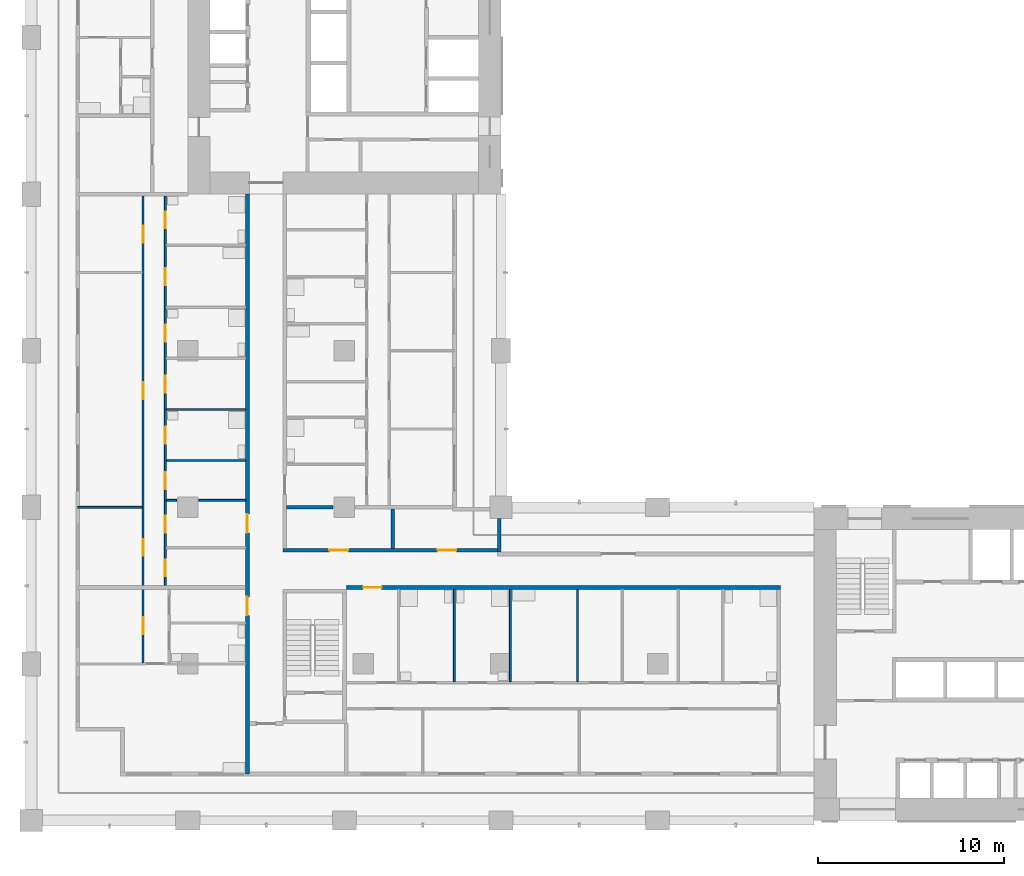
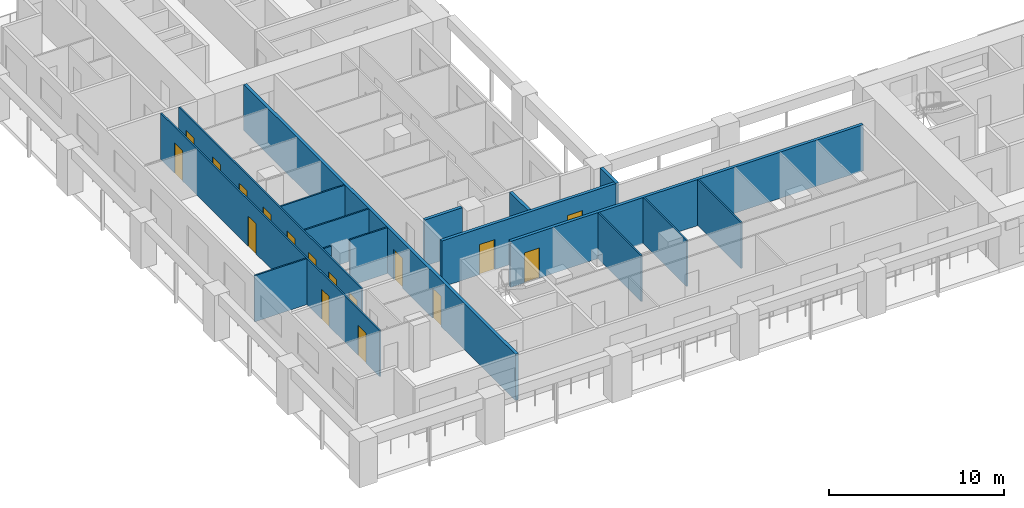
# One storey, part 3 of 16: 17 doors, 16 walls, 17 openings.
"""IFC4 building model written with IfcOpenShell, lengths in metres."""

from ifc_helpers import new_model, si_unit, direction, frame, frame_2d, origin, place, context, subcontext, project, spatial, rectangle, extrude, material, layer, layer_set, type_object, element, fill, save


model = new_model("IFC4")

# Units and contexts
model_context = context("Model", 3, precision=1e-05, world=origin(), true_north=direction((0.0, 1.0)))
body_context = subcontext(model_context, "Body", "Model", "MODEL_VIEW")
ifc_project = project(units=[si_unit("LENGTHUNIT", "METRE"), si_unit("AREAUNIT", "SQUARE_METRE"), si_unit("VOLUMEUNIT", "CUBIC_METRE"), si_unit("PLANEANGLEUNIT", "RADIAN"), si_unit("MASSUNIT", "GRAM", prefix="KILO")], contexts=[model_context])

# Site, building, storey
site_placement = place(None, origin())
site = spatial("IfcSite", under=ifc_project, at=site_placement, CompositionType="ELEMENT")
building_placement = place(site_placement, origin())
building = spatial("IfcBuilding", under=site, at=building_placement, Name="Vermilion Gate Residences", CompositionType="ELEMENT")
storey_placement = place(building_placement, frame((0.0, 0.0, 130.199951171875)))
storey = spatial("IfcBuildingStorey", under=building, at=storey_placement, Name="L33", CompositionType="ELEMENT", Elevation=130.199951171875)

# Walls
ifc_material_1 = material(Name="Insulated steel stud wall with terracotta rainscreen", Category="masonry")
ifc_layer_1 = layer(ifc_material_1, 0.199951171875)
ifc_layer_set_1 = layer_set([ifc_layer_1], Name="EXTERNAL WALL 200 TERRACOTTA RAINSCREEN")
wall_type_1 = type_object("IfcWallType", Name="EXTERNAL WALL 200 TERRACOTTA RAINSCREEN", PredefinedType="SOLIDWALL", material=ifc_layer_set_1)
wall_1_placement = place(storey_placement, frame((25.10009765625, 22.800048828125, 0.0), z_axis=(0.0, 0.0, 1.0), x_axis=(0.0, 1.0, 0.0)))
element("IfcWall", 1, at=wall_1_placement, inside=storey, type_object=wall_type_1, Name="External wall", PredefinedType="SOLIDWALL", context=body_context, shape_type="SweptSolid", body=[
    extrude(rectangle(XDim=1.800048828125, YDim=0.199951171875, at=frame_2d((0.89990234375, 0.0))), origin(), (0.0, 0.0, 1.0), 3.219970703125),
])
ifc_material_2 = material(Name="Plasterboard on steel studs", Category="steel")
ifc_layer_2 = layer(ifc_material_2, 0.10009765625)
ifc_layer_set_2 = layer_set([ifc_layer_2], Name="PARTITION 100")
wall_type_2 = type_object("IfcWallType", Name="PARTITION 100", PredefinedType="PARTITIONING", material=ifc_layer_set_2)
wall_2_placement = place(storey_placement, frame((2.5, 25.199951171875, 0.0), z_axis=(0.0, 0.0, 1.0), x_axis=(1.0, 0.0, 0.0)))
element("IfcWall", 2, at=wall_2_placement, inside=storey, type_object=wall_type_2, Name="Partition", PredefinedType="PARTITIONING", context=body_context, shape_type="SweptSolid", body=[
    extrude(rectangle(XDim=3.449951171875, YDim=0.10009765625, at=frame_2d((1.72509765625, 0.0))), origin(), (0.0, 0.0, 1.0), 3.219970703125),
])
wall_3_placement = place(storey_placement, frame((7.25, 25.574951171875, 0.0), z_axis=(0.0, 0.0, 1.0), x_axis=(1.0, 0.0, 0.0)))
element("IfcWall", 3, at=wall_3_placement, inside=storey, type_object=wall_type_2, Name="Partition", PredefinedType="PARTITIONING", context=body_context, shape_type="SweptSolid", body=[
    extrude(rectangle(XDim=0.550048828125, YDim=0.10009765625, at=frame_2d((0.27490234375, 0.0))), origin(), (0.0, 0.0, 1.0), 3.219970703125),
])
wall_4_placement = place(storey_placement, frame((9.0, 25.574951171875, 0.0), z_axis=(0.0, 0.0, 1.0), x_axis=(1.0, 0.0, 0.0)))
element("IfcWall", 4, at=wall_4_placement, inside=storey, type_object=wall_type_2, Name="Partition", PredefinedType="PARTITIONING", context=body_context, shape_type="SweptSolid", body=[
    extrude(rectangle(XDim=2.5, YDim=0.10009765625, at=frame_2d((1.25, 0.0))), origin(), (0.0, 0.0, 1.0), 3.219970703125),
])
for number, where, z_axis, x_axis, name in (
    (5, (7.25, 27.712890625, 0.0), (0.0, 0.0, 1.0), (1.0, 0.0, 0.0), "Partition"),
    (6, (7.25, 30.449951171875, 0.0), (0.0, 0.0, 1.0), (1.0, 0.0, 0.0), "Partition"),
):
    element("IfcWall", number, at=place(storey_placement, frame(where, z_axis=z_axis, x_axis=x_axis)), inside=storey, type_object=wall_type_2, Name=name, PredefinedType="PARTITIONING", context=body_context, shape_type="SweptSolid", body=[
        extrude(rectangle(XDim=4.25, YDim=0.10009765625, at=frame_2d((2.125, 0.0))), origin(), (0.0, 0.0, 1.0), 3.219970703125),
    ])

# Wall, openings, doors
wall_5_placement = place(storey_placement, frame((6.0, 16.85009765625, 0.0), z_axis=(0.0, 0.0, 1.0), x_axis=(0.0, 1.0, 0.0)))
wall_5 = element("IfcWall", 7, at=wall_5_placement, inside=storey, type_object=wall_type_2, Name="Partition", PredefinedType="PARTITIONING", context=body_context, shape_type="SweptSolid", body=[
    extrude(rectangle(XDim=25.0498046875, YDim=0.10009765625, at=frame_2d((12.52490234375, 0.0))), origin(), (0.0, 0.0, 1.0), 3.219970703125),
])
opening_1_placement = place(wall_5_placement, frame((1.550048828125, 0.0, 0.0)))
opening_1 = element("IfcOpeningElement", 8, at=opening_1_placement, cuts=wall_5, Name="Opening DA32020", PredefinedType="OPENING", context=body_context, shape_type="SweptSolid", body=[
    extrude(rectangle(XDim=0.89990234375, YDim=2.10009765625, at=frame_2d((0.449951171875, 1.050048828125))), frame((0.0, 0.06005859375, 0.0), z_axis=(0.0, -1.0, 0.0), x_axis=(1.0, 0.0, 0.0)), (0.0, 0.0, 1.0), 0.1201171875),
])
opening_2_placement = place(wall_5_placement, frame((5.75, 0.0, 0.0)))
opening_2 = element("IfcOpeningElement", 9, at=opening_2_placement, cuts=wall_5, Name="Opening DA32021", PredefinedType="OPENING", context=body_context, shape_type="SweptSolid", body=[
    extrude(rectangle(XDim=0.89990234375, YDim=2.10009765625, at=frame_2d((0.449951171875, 1.050048828125))), frame((0.0, 0.06005859375, 0.0), z_axis=(0.0, -1.0, 0.0), x_axis=(1.0, 0.0, 0.0)), (0.0, 0.0, 1.0), 0.1201171875),
])
opening_3_placement = place(wall_5_placement, frame((14.14990234375, 0.0, 0.0)))
opening_3 = element("IfcOpeningElement", 10, at=opening_3_placement, cuts=wall_5, Name="Opening DA32022", PredefinedType="OPENING", context=body_context, shape_type="SweptSolid", body=[
    extrude(rectangle(XDim=0.89990234375, YDim=2.10009765625, at=frame_2d((0.449951171875, 1.050048828125))), frame((0.0, 0.06005859375, 0.0), z_axis=(0.0, -1.0, 0.0), x_axis=(1.0, 0.0, 0.0)), (0.0, 0.0, 1.0), 0.1201171875),
])
opening_4_placement = place(wall_5_placement, frame((22.550048828125, 0.0, 0.0)))
opening_4 = element("IfcOpeningElement", 11, at=opening_4_placement, cuts=wall_5, Name="Opening DA32023", PredefinedType="OPENING", context=body_context, shape_type="SweptSolid", body=[
    extrude(rectangle(XDim=0.89990234375, YDim=2.10009765625, at=frame_2d((0.449951171875, 1.050048828125))), frame((0.0, 0.06005859375, 0.0), z_axis=(0.0, -1.0, 0.0), x_axis=(1.0, 0.0, 0.0)), (0.0, 0.0, 1.0), 0.1201171875),
])
ifc_material_3 = material(Name="Timber", Category="wood")
door_type_1 = type_object("IfcDoorType", Name="INTERIOR DOOR 900 X 2100", OperationType="SINGLE_SWING_LEFT", PredefinedType="DOOR", material=ifc_material_3)
door_1_placement = place(opening_1_placement, origin())
door_1 = element("IfcDoor", 12, at=door_1_placement, inside=storey, type_object=door_type_1, Name="Interior door", OperationType="SINGLE_SWING_RIGHT", OverallHeight=2.10009765625, OverallWidth=0.89990234375, PredefinedType="DOOR", context=body_context, shape_type="SweptSolid", body=[
    extrude(rectangle(XDim=0.89990234375, YDim=2.10009765625, at=frame_2d((0.449951171875, 1.050048828125))), frame((0.0, 0.02490234375, 0.0), z_axis=(0.0, -1.0, 0.0), x_axis=(1.0, 0.0, 0.0)), (0.0, 0.0, 1.0), 0.050048828125),
])
fill(opening_1, door_1)
door_2_placement = place(opening_2_placement, origin())
door_2 = element("IfcDoor", 13, at=door_2_placement, inside=storey, type_object=door_type_1, Name="Interior door", OperationType="SINGLE_SWING_LEFT", OverallHeight=2.10009765625, OverallWidth=0.89990234375, PredefinedType="DOOR", context=body_context, shape_type="SweptSolid", body=[
    extrude(rectangle(XDim=0.89990234375, YDim=2.10009765625, at=frame_2d((0.449951171875, 1.050048828125))), frame((0.0, 0.02490234375, 0.0), z_axis=(0.0, -1.0, 0.0), x_axis=(1.0, 0.0, 0.0)), (0.0, 0.0, 1.0), 0.050048828125),
])
fill(opening_2, door_2)
door_3_placement = place(opening_3_placement, origin())
door_3 = element("IfcDoor", 14, at=door_3_placement, inside=storey, type_object=door_type_1, Name="Interior door", OperationType="SINGLE_SWING_LEFT", OverallHeight=2.10009765625, OverallWidth=0.89990234375, PredefinedType="DOOR", context=body_context, shape_type="SweptSolid", body=[
    extrude(rectangle(XDim=0.89990234375, YDim=2.10009765625, at=frame_2d((0.449951171875, 1.050048828125))), frame((0.0, 0.02490234375, 0.0), z_axis=(0.0, -1.0, 0.0), x_axis=(1.0, 0.0, 0.0)), (0.0, 0.0, 1.0), 0.050048828125),
])
fill(opening_3, door_3)
door_4_placement = place(opening_4_placement, origin())
door_4 = element("IfcDoor", 15, at=door_4_placement, inside=storey, type_object=door_type_1, Name="Interior door", OperationType="SINGLE_SWING_LEFT", OverallHeight=2.10009765625, OverallWidth=0.89990234375, PredefinedType="DOOR", context=body_context, shape_type="SweptSolid", body=[
    extrude(rectangle(XDim=0.89990234375, YDim=2.10009765625, at=frame_2d((0.449951171875, 1.050048828125))), frame((0.0, 0.02490234375, 0.0), z_axis=(0.0, -1.0, 0.0), x_axis=(1.0, 0.0, 0.0)), (0.0, 0.0, 1.0), 0.050048828125),
])
fill(opening_4, door_4)

wall_6_placement = place(storey_placement, frame((7.199951171875, 21.0, 0.0), z_axis=(0.0, 0.0, 1.0), x_axis=(0.0, 1.0, 0.0)))
wall_6 = element("IfcWall", 16, at=wall_6_placement, inside=storey, type_object=wall_type_2, Name="Partition", PredefinedType="PARTITIONING", context=body_context, shape_type="SweptSolid", body=[
    extrude(rectangle(XDim=20.89990234375, YDim=0.10009765625, at=frame_2d((10.449951171875, 0.0))), origin(), (0.0, 0.0, 1.0), 3.219970703125),
])
opening_5_placement = place(wall_6_placement, frame((2.8369140625, 0.0, 0.0)))
opening_5 = element("IfcOpeningElement", 17, at=opening_5_placement, cuts=wall_6, Name="Opening DA32026", PredefinedType="OPENING", context=body_context, shape_type="SweptSolid", body=[
    extrude(rectangle(XDim=0.89990234375, YDim=2.10009765625, at=frame_2d((0.449951171875, 1.050048828125))), frame((0.0, 0.06005859375, 0.0), z_axis=(0.0, -1.0, 0.0), x_axis=(1.0, 0.0, 0.0)), (0.0, 0.0, 1.0), 0.1201171875),
])
opening_6_placement = place(wall_6_placement, frame((0.5, 0.0, 0.0)))
opening_6 = element("IfcOpeningElement", 18, at=opening_6_placement, cuts=wall_6, Name="Opening DA32027", PredefinedType="OPENING", context=body_context, shape_type="SweptSolid", body=[
    extrude(rectangle(XDim=0.89990234375, YDim=2.10009765625, at=frame_2d((0.449951171875, 1.050048828125))), frame((0.0, 0.06005859375, 0.0), z_axis=(0.0, -1.0, 0.0), x_axis=(1.0, 0.0, 0.0)), (0.0, 0.0, 1.0), 0.1201171875),
])
opening_7_placement = place(wall_6_placement, frame((5.175048828125, 0.0, 0.0)))
opening_7 = element("IfcOpeningElement", 19, at=opening_7_placement, cuts=wall_6, Name="Opening DA32028", PredefinedType="OPENING", context=body_context, shape_type="SweptSolid", body=[
    extrude(rectangle(XDim=0.89990234375, YDim=2.10009765625, at=frame_2d((0.449951171875, 1.050048828125))), frame((0.0, 0.06005859375, 0.0), z_axis=(0.0, -1.0, 0.0), x_axis=(1.0, 0.0, 0.0)), (0.0, 0.0, 1.0), 0.1201171875),
])
opening_8_placement = place(wall_6_placement, frame((7.613037109375, 0.0, 0.0)))
opening_8 = element("IfcOpeningElement", 20, at=opening_8_placement, cuts=wall_6, Name="Opening DA32029", PredefinedType="OPENING", context=body_context, shape_type="SweptSolid", body=[
    extrude(rectangle(XDim=0.89990234375, YDim=2.10009765625, at=frame_2d((0.449951171875, 1.050048828125))), frame((0.0, 0.06005859375, 0.0), z_axis=(0.0, -1.0, 0.0), x_axis=(1.0, 0.0, 0.0)), (0.0, 0.0, 1.0), 0.1201171875),
])
opening_9_placement = place(wall_6_placement, frame((10.35009765625, 0.0, 0.0)))
opening_9 = element("IfcOpeningElement", 21, at=opening_9_placement, cuts=wall_6, Name="Opening DA32030", PredefinedType="OPENING", context=body_context, shape_type="SweptSolid", body=[
    extrude(rectangle(XDim=0.89990234375, YDim=2.10009765625, at=frame_2d((0.449951171875, 1.050048828125))), frame((0.0, 0.06005859375, 0.0), z_axis=(0.0, -1.0, 0.0), x_axis=(1.0, 0.0, 0.0)), (0.0, 0.0, 1.0), 0.1201171875),
])
opening_10_placement = place(wall_6_placement, frame((13.087890625, 0.0, 0.0)))
opening_10 = element("IfcOpeningElement", 22, at=opening_10_placement, cuts=wall_6, Name="Opening DA32031", PredefinedType="OPENING", context=body_context, shape_type="SweptSolid", body=[
    extrude(rectangle(XDim=0.89990234375, YDim=2.10009765625, at=frame_2d((0.449951171875, 1.050048828125))), frame((0.0, 0.06005859375, 0.0), z_axis=(0.0, -1.0, 0.0), x_axis=(1.0, 0.0, 0.0)), (0.0, 0.0, 1.0), 0.1201171875),
])
opening_11_placement = place(wall_6_placement, frame((16.125, 0.0, 0.0)))
opening_11 = element("IfcOpeningElement", 23, at=opening_11_placement, cuts=wall_6, Name="Opening DA32032", PredefinedType="OPENING", context=body_context, shape_type="SweptSolid", body=[
    extrude(rectangle(XDim=0.89990234375, YDim=2.10009765625, at=frame_2d((0.449951171875, 1.050048828125))), frame((0.0, 0.06005859375, 0.0), z_axis=(0.0, -1.0, 0.0), x_axis=(1.0, 0.0, 0.0)), (0.0, 0.0, 1.0), 0.1201171875),
])
opening_12_placement = place(wall_6_placement, frame((19.1630859375, 0.0, 0.0)))
opening_12 = element("IfcOpeningElement", 24, at=opening_12_placement, cuts=wall_6, Name="Opening DA32033", PredefinedType="OPENING", context=body_context, shape_type="SweptSolid", body=[
    extrude(rectangle(XDim=0.89990234375, YDim=2.10009765625, at=frame_2d((0.449951171875, 1.050048828125))), frame((0.0, 0.06005859375, 0.0), z_axis=(0.0, -1.0, 0.0), x_axis=(1.0, 0.0, 0.0)), (0.0, 0.0, 1.0), 0.1201171875),
])
door_5_placement = place(opening_5_placement, frame((0.89990234375, 0.0, 0.0), z_axis=(0.0, 0.0, 1.0), x_axis=(-1.0, 0.0, 0.0)))
door_5 = element("IfcDoor", 25, at=door_5_placement, inside=storey, type_object=door_type_1, Name="Interior door", OperationType="SINGLE_SWING_RIGHT", OverallHeight=2.10009765625, OverallWidth=0.89990234375, PredefinedType="DOOR", context=body_context, shape_type="SweptSolid", body=[
    extrude(rectangle(XDim=0.89990234375, YDim=2.10009765625, at=frame_2d((0.449951171875, 1.050048828125))), frame((0.0, 0.02490234375, 0.0), z_axis=(0.0, -1.0, 0.0), x_axis=(1.0, 0.0, 0.0)), (0.0, 0.0, 1.0), 0.050048828125),
])
fill(opening_5, door_5)
door_6_placement = place(opening_6_placement, frame((0.89990234375, 0.0, 0.0), z_axis=(0.0, 0.0, 1.0), x_axis=(-1.0, 0.0, 0.0)))
door_6 = element("IfcDoor", 26, at=door_6_placement, inside=storey, type_object=door_type_1, Name="Interior door", OperationType="SINGLE_SWING_RIGHT", OverallHeight=2.10009765625, OverallWidth=0.89990234375, PredefinedType="DOOR", context=body_context, shape_type="SweptSolid", body=[
    extrude(rectangle(XDim=0.89990234375, YDim=2.10009765625, at=frame_2d((0.449951171875, 1.050048828125))), frame((0.0, 0.02490234375, 0.0), z_axis=(0.0, -1.0, 0.0), x_axis=(1.0, 0.0, 0.0)), (0.0, 0.0, 1.0), 0.050048828125),
])
fill(opening_6, door_6)
door_7_placement = place(opening_7_placement, frame((0.89990234375, 0.0, 0.0), z_axis=(0.0, 0.0, 1.0), x_axis=(-1.0, 0.0, 0.0)))
door_7 = element("IfcDoor", 27, at=door_7_placement, inside=storey, type_object=door_type_1, Name="Interior door", OperationType="SINGLE_SWING_RIGHT", OverallHeight=2.10009765625, OverallWidth=0.89990234375, PredefinedType="DOOR", context=body_context, shape_type="SweptSolid", body=[
    extrude(rectangle(XDim=0.89990234375, YDim=2.10009765625, at=frame_2d((0.449951171875, 1.050048828125))), frame((0.0, 0.02490234375, 0.0), z_axis=(0.0, -1.0, 0.0), x_axis=(1.0, 0.0, 0.0)), (0.0, 0.0, 1.0), 0.050048828125),
])
fill(opening_7, door_7)
door_8_placement = place(opening_8_placement, frame((0.89990234375, 0.0, 0.0), z_axis=(0.0, 0.0, 1.0), x_axis=(-1.0, 0.0, 0.0)))
door_8 = element("IfcDoor", 28, at=door_8_placement, inside=storey, type_object=door_type_1, Name="Interior door", OperationType="SINGLE_SWING_LEFT", OverallHeight=2.10009765625, OverallWidth=0.89990234375, PredefinedType="DOOR", context=body_context, shape_type="SweptSolid", body=[
    extrude(rectangle(XDim=0.89990234375, YDim=2.10009765625, at=frame_2d((0.449951171875, 1.050048828125))), frame((0.0, 0.02490234375, 0.0), z_axis=(0.0, -1.0, 0.0), x_axis=(1.0, 0.0, 0.0)), (0.0, 0.0, 1.0), 0.050048828125),
])
fill(opening_8, door_8)
door_9_placement = place(opening_9_placement, frame((0.89990234375, 0.0, 0.0), z_axis=(0.0, 0.0, 1.0), x_axis=(-1.0, 0.0, 0.0)))
door_9 = element("IfcDoor", 29, at=door_9_placement, inside=storey, type_object=door_type_1, Name="Interior door", OperationType="SINGLE_SWING_RIGHT", OverallHeight=2.10009765625, OverallWidth=0.89990234375, PredefinedType="DOOR", context=body_context, shape_type="SweptSolid", body=[
    extrude(rectangle(XDim=0.89990234375, YDim=2.10009765625, at=frame_2d((0.449951171875, 1.050048828125))), frame((0.0, 0.02490234375, 0.0), z_axis=(0.0, -1.0, 0.0), x_axis=(1.0, 0.0, 0.0)), (0.0, 0.0, 1.0), 0.050048828125),
])
fill(opening_9, door_9)
door_10_placement = place(opening_10_placement, frame((0.89990234375, 0.0, 0.0), z_axis=(0.0, 0.0, 1.0), x_axis=(-1.0, 0.0, 0.0)))
door_10 = element("IfcDoor", 30, at=door_10_placement, inside=storey, type_object=door_type_1, Name="Interior door", OperationType="SINGLE_SWING_LEFT", OverallHeight=2.10009765625, OverallWidth=0.89990234375, PredefinedType="DOOR", context=body_context, shape_type="SweptSolid", body=[
    extrude(rectangle(XDim=0.89990234375, YDim=2.10009765625, at=frame_2d((0.449951171875, 1.050048828125))), frame((0.0, 0.02490234375, 0.0), z_axis=(0.0, -1.0, 0.0), x_axis=(1.0, 0.0, 0.0)), (0.0, 0.0, 1.0), 0.050048828125),
])
fill(opening_10, door_10)
door_11_placement = place(opening_11_placement, frame((0.89990234375, 0.0, 0.0), z_axis=(0.0, 0.0, 1.0), x_axis=(-1.0, 0.0, 0.0)))
door_11 = element("IfcDoor", 31, at=door_11_placement, inside=storey, type_object=door_type_1, Name="Interior door", OperationType="SINGLE_SWING_RIGHT", OverallHeight=2.10009765625, OverallWidth=0.89990234375, PredefinedType="DOOR", context=body_context, shape_type="SweptSolid", body=[
    extrude(rectangle(XDim=0.89990234375, YDim=2.10009765625, at=frame_2d((0.449951171875, 1.050048828125))), frame((0.0, 0.02490234375, 0.0), z_axis=(0.0, -1.0, 0.0), x_axis=(1.0, 0.0, 0.0)), (0.0, 0.0, 1.0), 0.050048828125),
])
fill(opening_11, door_11)
door_12_placement = place(opening_12_placement, frame((0.89990234375, 0.0, 0.0), z_axis=(0.0, 0.0, 1.0), x_axis=(-1.0, 0.0, 0.0)))
door_12 = element("IfcDoor", 32, at=door_12_placement, inside=storey, type_object=door_type_1, Name="Interior door", OperationType="SINGLE_SWING_LEFT", OverallHeight=2.10009765625, OverallWidth=0.89990234375, PredefinedType="DOOR", context=body_context, shape_type="SweptSolid", body=[
    extrude(rectangle(XDim=0.89990234375, YDim=2.10009765625, at=frame_2d((0.449951171875, 1.050048828125))), frame((0.0, 0.02490234375, 0.0), z_axis=(0.0, -1.0, 0.0), x_axis=(1.0, 0.0, 0.0)), (0.0, 0.0, 1.0), 0.050048828125),
])
fill(opening_12, door_12)

# Walls
for number, where, z_axis, x_axis, name in (
    (33, (22.699951171875, 15.85009765625, 0.0), (0.0, 0.0, 1.0), (0.0, 1.0, 0.0), "Partition"),
    (34, (25.699951171875, 15.85009765625, 0.0), (0.0, 0.0, 1.0), (0.0, 1.0, 0.0), "Partition"),
    (35, (29.300048828125, 15.85009765625, 0.0), (0.0, 0.0, 1.0), (0.0, 1.0, 0.0), "Partition"),
):
    element("IfcWall", number, at=place(storey_placement, frame(where, z_axis=z_axis, x_axis=x_axis)), inside=storey, type_object=wall_type_2, Name=name, PredefinedType="PARTITIONING", context=body_context, shape_type="SweptSolid", body=[
        extrude(rectangle(XDim=4.949951171875, YDim=0.10009765625, at=frame_2d((2.47509765625, 0.0))), origin(), (0.0, 0.0, 1.0), 3.219970703125),
    ])

# Wall, opening, door
ifc_material_4 = material(Name="Fire-rated plasterboard on steel studs", Category="steel")
ifc_layer_3 = layer(ifc_material_4, 0.199951171875)
ifc_layer_set_3 = layer_set([ifc_layer_3], Name="PARTY WALL 200 EI 120")
wall_type_3 = type_object("IfcWallType", Name="PARTY WALL 200 EI 120", PredefinedType="PARTITIONING", material=ifc_layer_set_3)
wall_7_placement = place(storey_placement, frame((16.89990234375, 20.89990234375, 0.0), z_axis=(0.0, 0.0, 1.0), x_axis=(1.0, 0.0, 0.0)))
wall_7 = element("IfcWall", 36, at=wall_7_placement, inside=storey, type_object=wall_type_3, Name="Party and corridor wall", PredefinedType="PARTITIONING", context=body_context, shape_type="SweptSolid", body=[
    extrude(rectangle(XDim=23.300048828125, YDim=0.199951171875, at=frame_2d((11.64990234375, 0.0))), origin(), (0.0, 0.0, 1.0), 3.219970703125),
])
opening_13_placement = place(wall_7_placement, frame((0.89990234375, 0.0, 0.0)))
opening_13 = element("IfcOpeningElement", 37, at=opening_13_placement, cuts=wall_7, Name="Opening DA32014", PredefinedType="OPENING", context=body_context, shape_type="SweptSolid", body=[
    extrude(rectangle(XDim=1.0, YDim=2.10009765625, at=frame_2d((0.5, 1.050048828125))), frame((0.0, 0.10986328125, 0.0), z_axis=(0.0, -1.0, 0.0), x_axis=(1.0, 0.0, 0.0)), (0.0, 0.0, 1.0), 0.219970703125),
])
ifc_material_5 = material(Name="Steel", Category="steel")
door_type_2 = type_object("IfcDoorType", Name="ENTRANCE DOOR 1000 X 2100 FD30", OperationType="SINGLE_SWING_LEFT", PredefinedType="DOOR", material=ifc_material_5)
door_13_placement = place(opening_13_placement, frame((1.0, 0.0, 0.0), z_axis=(0.0, 0.0, 1.0), x_axis=(-1.0, 0.0, 0.0)))
door_13 = element("IfcDoor", 38, at=door_13_placement, inside=storey, type_object=door_type_2, Name="Entrance door", OperationType="SINGLE_SWING_LEFT", OverallHeight=2.10009765625, OverallWidth=1.0, PredefinedType="DOOR", context=body_context, shape_type="SweptSolid", body=[
    extrude(rectangle(XDim=1.0, YDim=2.10009765625, at=frame_2d((0.5, 1.050048828125))), frame((0.0, 0.02490234375, 0.0), z_axis=(0.0, -1.0, 0.0), x_axis=(1.0, 0.0, 0.0)), (0.0, 0.0, 1.0), 0.050048828125),
])
fill(opening_13, door_13)

# Wall, openings, doors
wall_8_placement = place(storey_placement, frame((13.5, 22.89990234375, 0.0), z_axis=(0.0, 0.0, 1.0), x_axis=(1.0, 0.0, 0.0)))
wall_8 = element("IfcWall", 39, at=wall_8_placement, inside=storey, type_object=wall_type_3, Name="Party and corridor wall", PredefinedType="PARTITIONING", context=body_context, shape_type="SweptSolid", body=[
    extrude(rectangle(XDim=11.60009765625, YDim=0.199951171875, at=frame_2d((5.800048828125, 0.0))), origin(), (0.0, 0.0, 1.0), 3.219970703125),
])
opening_14_placement = place(wall_8_placement, frame((2.5, 0.0, 0.0)))
opening_14 = element("IfcOpeningElement", 40, at=opening_14_placement, cuts=wall_8, Name="Opening DA32015", PredefinedType="OPENING", context=body_context, shape_type="SweptSolid", body=[
    extrude(rectangle(XDim=1.0, YDim=2.10009765625, at=frame_2d((0.5, 1.050048828125))), frame((0.0, 0.10986328125, 0.0), z_axis=(0.0, -1.0, 0.0), x_axis=(1.0, 0.0, 0.0)), (0.0, 0.0, 1.0), 0.219970703125),
])
opening_15_placement = place(wall_8_placement, frame((8.300048828125, 0.0, 0.0)))
opening_15 = element("IfcOpeningElement", 41, at=opening_15_placement, cuts=wall_8, Name="Opening DA32016", PredefinedType="OPENING", context=body_context, shape_type="SweptSolid", body=[
    extrude(rectangle(XDim=1.0, YDim=2.10009765625, at=frame_2d((0.5, 1.050048828125))), frame((0.0, 0.10986328125, 0.0), z_axis=(0.0, -1.0, 0.0), x_axis=(1.0, 0.0, 0.0)), (0.0, 0.0, 1.0), 0.219970703125),
])
door_14_placement = place(opening_14_placement, origin())
door_14 = element("IfcDoor", 42, at=door_14_placement, inside=storey, type_object=door_type_2, Name="Entrance door", OperationType="SINGLE_SWING_RIGHT", OverallHeight=2.10009765625, OverallWidth=1.0, PredefinedType="DOOR", context=body_context, shape_type="SweptSolid", body=[
    extrude(rectangle(XDim=1.0, YDim=2.10009765625, at=frame_2d((0.5, 1.050048828125))), frame((0.0, 0.02490234375, 0.0), z_axis=(0.0, -1.0, 0.0), x_axis=(1.0, 0.0, 0.0)), (0.0, 0.0, 1.0), 0.050048828125),
])
fill(opening_14, door_14)
door_15_placement = place(opening_15_placement, origin())
door_15 = element("IfcDoor", 43, at=door_15_placement, inside=storey, type_object=door_type_2, Name="Entrance door", OperationType="SINGLE_SWING_RIGHT", OverallHeight=2.10009765625, OverallWidth=1.0, PredefinedType="DOOR", context=body_context, shape_type="SweptSolid", body=[
    extrude(rectangle(XDim=1.0, YDim=2.10009765625, at=frame_2d((0.5, 1.050048828125))), frame((0.0, 0.02490234375, 0.0), z_axis=(0.0, -1.0, 0.0), x_axis=(1.0, 0.0, 0.0)), (0.0, 0.0, 1.0), 0.050048828125),
])
fill(opening_15, door_15)

# Wall
wall_9_placement = place(storey_placement, frame((13.699951171875, 25.199951171875, 0.0), z_axis=(0.0, 0.0, 1.0), x_axis=(1.0, 0.0, 0.0)))
element("IfcWall", 44, at=wall_9_placement, inside=storey, type_object=wall_type_3, Name="Party and corridor wall", PredefinedType="PARTITIONING", context=body_context, shape_type="SweptSolid", body=[
    extrude(rectangle(XDim=2.5, YDim=0.199951171875, at=frame_2d((1.25, 0.0))), origin(), (0.0, 0.0, 1.0), 3.219970703125),
])

# Wall, openings, doors
wall_10_placement = place(storey_placement, frame((11.60009765625, 10.89990234375, 0.0), z_axis=(0.0, 0.0, 1.0), x_axis=(0.0, 1.0, 0.0)))
wall_10 = element("IfcWall", 45, at=wall_10_placement, inside=storey, type_object=wall_type_3, Name="Party and corridor wall", PredefinedType="PARTITIONING", context=body_context, shape_type="SweptSolid", body=[
    extrude(rectangle(XDim=31.10009765625, YDim=0.199951171875, at=frame_2d((15.550048828125, 0.0))), origin(), (0.0, 0.0, 1.0), 3.219970703125),
])
opening_16_placement = place(wall_10_placement, frame((8.5, 0.0, 0.0)))
opening_16 = element("IfcOpeningElement", 46, at=opening_16_placement, cuts=wall_10, Name="Opening DA32036", PredefinedType="OPENING", context=body_context, shape_type="SweptSolid", body=[
    extrude(rectangle(XDim=1.0, YDim=2.10009765625, at=frame_2d((0.5, 1.050048828125))), frame((0.0, 0.10986328125, 0.0), z_axis=(0.0, -1.0, 0.0), x_axis=(1.0, 0.0, 0.0)), (0.0, 0.0, 1.0), 0.219970703125),
])
opening_17_placement = place(wall_10_placement, frame((12.93701171875, 0.0, 0.0)))
opening_17 = element("IfcOpeningElement", 47, at=opening_17_placement, cuts=wall_10, Name="Opening DA32037", PredefinedType="OPENING", context=body_context, shape_type="SweptSolid", body=[
    extrude(rectangle(XDim=1.0, YDim=2.10009765625, at=frame_2d((0.5, 1.050048828125))), frame((0.0, 0.10986328125, 0.0), z_axis=(0.0, -1.0, 0.0), x_axis=(1.0, 0.0, 0.0)), (0.0, 0.0, 1.0), 0.219970703125),
])
door_16_placement = place(opening_16_placement, origin())
door_16 = element("IfcDoor", 48, at=door_16_placement, inside=storey, type_object=door_type_2, Name="Entrance door", OperationType="SINGLE_SWING_LEFT", OverallHeight=2.10009765625, OverallWidth=1.0, PredefinedType="DOOR", context=body_context, shape_type="SweptSolid", body=[
    extrude(rectangle(XDim=1.0, YDim=2.10009765625, at=frame_2d((0.5, 1.050048828125))), frame((0.0, 0.02490234375, 0.0), z_axis=(0.0, -1.0, 0.0), x_axis=(1.0, 0.0, 0.0)), (0.0, 0.0, 1.0), 0.050048828125),
])
fill(opening_16, door_16)
door_17_placement = place(opening_17_placement, origin())
door_17 = element("IfcDoor", 49, at=door_17_placement, inside=storey, type_object=door_type_2, Name="Entrance door", OperationType="SINGLE_SWING_RIGHT", OverallHeight=2.10009765625, OverallWidth=1.0, PredefinedType="DOOR", context=body_context, shape_type="SweptSolid", body=[
    extrude(rectangle(XDim=1.0, YDim=2.10009765625, at=frame_2d((0.5, 1.050048828125))), frame((0.0, 0.02490234375, 0.0), z_axis=(0.0, -1.0, 0.0), x_axis=(1.0, 0.0, 0.0)), (0.0, 0.0, 1.0), 0.050048828125),
])
fill(opening_17, door_17)

# Wall
wall_11_placement = place(storey_placement, frame((19.39990234375, 23.0, 0.0), z_axis=(0.0, 0.0, 1.0), x_axis=(0.0, 1.0, 0.0)))
element("IfcWall", 50, at=wall_11_placement, inside=storey, type_object=wall_type_3, Name="Party and corridor wall", PredefinedType="PARTITIONING", context=body_context, shape_type="SweptSolid", body=[
    extrude(rectangle(XDim=2.10009765625, YDim=0.199951171875, at=frame_2d((1.050048828125, 0.0))), origin(), (0.0, 0.0, 1.0), 3.219970703125),
])

save(model, "model.ifc")
